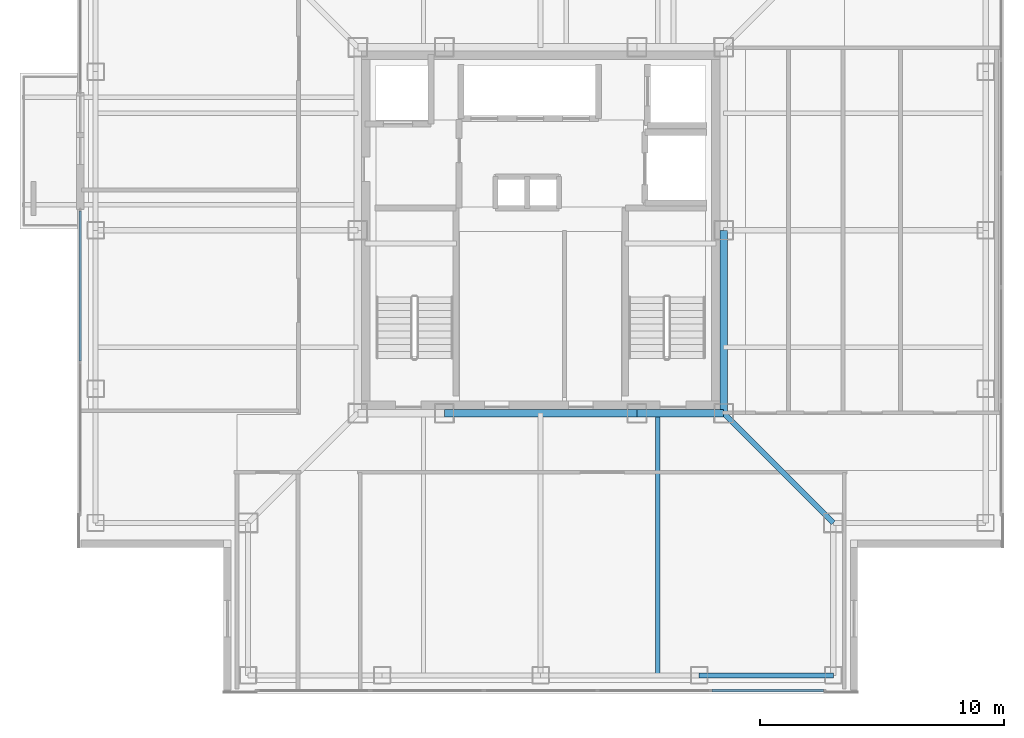
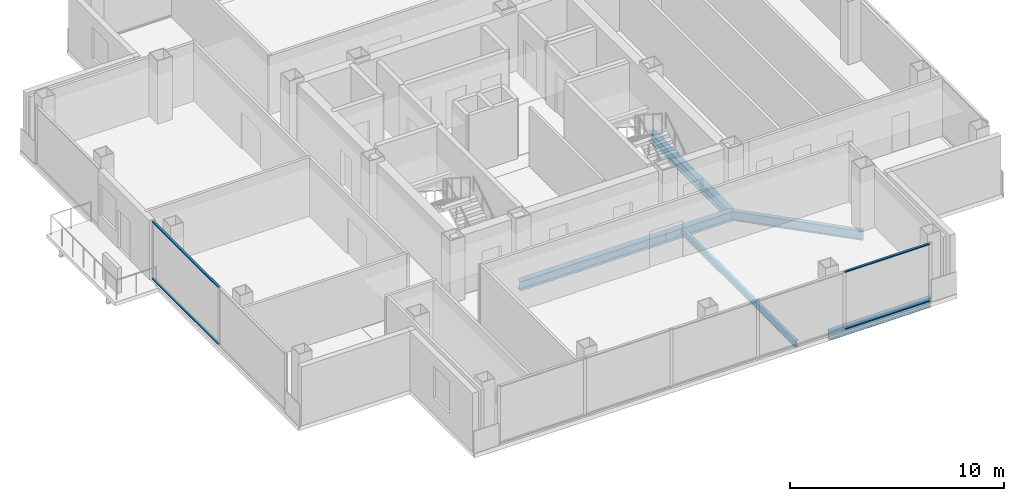
# One storey, part 3 of 13: 6 beams, 4 members, 2 elements without a shape of their own.
"""IFC4 building model written with IfcOpenShell, lengths in metres."""

from ifc_helpers import new_model, si_unit, direction, frame, origin, origin_2d, place, context, subcontext, project, spatial, rectangle, i_section, extrude, material, layer, layer_set, material_profile, profile_set, type_object, element, aggregate, save


model = new_model("IFC4")

# Units and contexts
model_context = context("Model", 3, precision=1e-05, world=origin(), true_north=direction((0.0, 1.0)))
body_context = subcontext(model_context, "Body", "Model", "MODEL_VIEW")
ifc_project = project(units=[si_unit("LENGTHUNIT", "METRE"), si_unit("AREAUNIT", "SQUARE_METRE"), si_unit("VOLUMEUNIT", "CUBIC_METRE"), si_unit("PLANEANGLEUNIT", "RADIAN"), si_unit("MASSUNIT", "GRAM", prefix="KILO")], contexts=[model_context])

# Site, building, storey
site_placement = place(None, origin())
site = spatial("IfcSite", under=ifc_project, at=site_placement, CompositionType="ELEMENT")
building_placement = place(site_placement, origin())
building = spatial("IfcBuilding", under=site, at=building_placement, Name="Trevonay Congress Spire", CompositionType="ELEMENT")
storey_placement = place(building_placement, frame((0.0, 0.0, 254.0)))
storey = spatial("IfcBuildingStorey", under=building, at=storey_placement, Name="L66", CompositionType="ELEMENT", Elevation=254.0)

# Beams
ifc_material_1 = material(Name="Steel ASTM A572 Grade 50", Category="steel")
ifc_material_profile_1 = material_profile(ifc_material_1, i_section(OverallWidth=0.2119140625, OverallDepth=0.5439453125, WebThickness=0.01318359375, FlangeThickness=0.021240234375, FilletRadius=0.014892578125, at=origin_2d()), Name="W530x123")
ifc_profile_set_1 = profile_set([ifc_material_profile_1], Name="Steel ASTM A572 Grade 50")
beam_type_1 = type_object("IfcBeamType", Name="BM-GIRD-W530X123", PredefinedType="BEAM", material=ifc_profile_set_1)
beam_1_placement = place(storey_placement, frame((7.5, -7.5, -0.511962890625), z_axis=(0.707106781187, -0.707106781187, 0.0), x_axis=(0.707106781187, 0.707106781187, 0.0)))
element("IfcBeam", 1, at=beam_1_placement, inside=storey, type_object=beam_type_1, Name="L66 structural beam BM-L66-CDSE", PredefinedType="BEAM", context=body_context, shape_type="SweptSolid", body=[
    extrude(i_section(OverallWidth=0.2119140625, OverallDepth=0.5439453125, WebThickness=0.01318359375, FlangeThickness=0.021240234375, FilletRadius=0.014892578125, at=origin_2d()), origin(), (0.0, 0.0, 1.0), 6.364013671875),
])
ifc_material_profile_2 = material_profile(ifc_material_1, i_section(OverallWidth=0.31201171875, OverallDepth=0.54296875, WebThickness=0.0126953125, FlangeThickness=0.020263671875, FilletRadius=0.014892578125, at=origin_2d()), Name="W530x150")
ifc_profile_set_2 = profile_set([ifc_material_profile_2], Name="Steel ASTM A572 Grade 50")
beam_type_2 = type_object("IfcBeamType", Name="BM-GIRD-W530X150", PredefinedType="BEAM", material=ifc_profile_set_2)
beam_2_placement = place(storey_placement, frame((-3.949951171875, -7.5, -0.511474609375), z_axis=(1.0, 0.0, 0.0), x_axis=(0.0, 1.0, 0.0)))
element("IfcBeam", 2, at=beam_2_placement, inside=storey, type_object=beam_type_2, Name="L66 structural beam BM-L66-CR-S2", PredefinedType="BEAM", context=body_context, shape_type="SweptSolid", body=[
    extrude(i_section(OverallWidth=0.31201171875, OverallDepth=0.54296875, WebThickness=0.0126953125, FlangeThickness=0.020263671875, FilletRadius=0.014892578125, at=origin_2d()), origin(), (0.0, 0.0, 1.0), 7.89990234375),
])
beam_3_placement = place(storey_placement, frame((3.949951171875, -7.5, -0.511474609375), z_axis=(1.0, 0.0, 0.0), x_axis=(0.0, 1.0, 0.0)))
element("IfcBeam", 3, at=beam_3_placement, inside=storey, type_object=beam_type_2, Name="L66 structural beam BM-L66-CR-S3", PredefinedType="BEAM", context=body_context, shape_type="SweptSolid", body=[
    extrude(i_section(OverallWidth=0.31201171875, OverallDepth=0.54296875, WebThickness=0.0126953125, FlangeThickness=0.020263671875, FilletRadius=0.014892578125, at=origin_2d()), origin(), (0.0, 0.0, 1.0), 3.550048828125),
])
beam_4_placement = place(storey_placement, frame((7.5, -7.5, -0.511474609375), z_axis=(0.0, 1.0, 0.0), x_axis=(-1.0, 0.0, 0.0)))
element("IfcBeam", 4, at=beam_4_placement, inside=storey, type_object=beam_type_2, Name="L66 structural beam BM-L66-CR-E1", PredefinedType="BEAM", context=body_context, shape_type="SweptSolid", body=[
    extrude(i_section(OverallWidth=0.31201171875, OverallDepth=0.54296875, WebThickness=0.0126953125, FlangeThickness=0.020263671875, FilletRadius=0.014892578125, at=origin_2d()), origin(), (0.0, 0.0, 1.0), 7.5),
])
ifc_material_profile_3 = material_profile(ifc_material_1, i_section(OverallWidth=0.208984375, OverallDepth=0.532958984375, WebThickness=0.01025390625, FlangeThickness=0.015625, FilletRadius=0.014892578125, at=origin_2d()), Name="W530x92")
ifc_profile_set_3 = profile_set([ifc_material_profile_3], Name="Steel ASTM A572 Grade 50")
beam_type_3 = type_object("IfcBeamType", Name="BM-RING-W530X92", PredefinedType="BEAM", material=ifc_profile_set_3)
beam_5_placement = place(storey_placement, frame((6.5, -18.25, -0.506591796875), z_axis=(1.0, 0.0, 0.0), x_axis=(0.0, 1.0, 0.0)))
element("IfcBeam", 5, at=beam_5_placement, inside=storey, type_object=beam_type_3, Name="L66 structural beam BM-L66-PS4", PredefinedType="BEAM", context=body_context, shape_type="SweptSolid", body=[
    extrude(i_section(OverallWidth=0.208984375, OverallDepth=0.532958984375, WebThickness=0.01025390625, FlangeThickness=0.015625, FilletRadius=0.014892578125, at=origin_2d()), origin(), (0.0, 0.0, 1.0), 5.5),
])

# Curtain wall, members
ifc_material_2 = material(Name="Pale Anodised Aluminium EN AW-6063-T6", Category="aluminium")
ifc_layer = layer(ifc_material_2, 0.1650390625, Name="Pale Anodised Aluminium EN AW-6063-T6")
ifc_layer_set = layer_set([ifc_layer], Name="Pale Anodised Aluminium EN AW-6063-T6")
curtain_wall_type = type_object("IfcCurtainWallType", Name="CW-SYS05-DIPLOM-PALE-METAL", PredefinedType="NOTDEFINED", material=ifc_layer_set)
curtain_wall_1_placement = place(storey_placement, origin())
curtain_wall_1 = element("IfcCurtainWall", 6, at=curtain_wall_1_placement, inside=storey, type_object=curtain_wall_type, Name="L66 S unitised curtain wall", PredefinedType="NOTDEFINED")
ifc_material_profile_4 = material_profile(ifc_material_2, rectangle(XDim=0.1201171875, YDim=0.06005859375, at=origin_2d()), Name="CW-TRANSOM-120-ALUMINIUM")
ifc_profile_set_4 = profile_set([ifc_material_profile_4], Name="Pale Anodised Aluminium EN AW-6063-T6")
member_type = type_object("IfcMemberType", Name="CW-TRANSOM-120-ALUMINIUM", PredefinedType="USERDEFINED", material=ifc_profile_set_4)
member_1_placement = place(storey_placement, frame((7.02001953125, -18.8798828125, 0.06005859375), z_axis=(1.0, 0.0, 0.0), x_axis=(0.0, 1.0, 0.0)))
member_1 = element("IfcMember", 7, at=member_1_placement, type_object=member_type, Name="CW05 transom 5.1", ObjectType="TRANSOM", PredefinedType="USERDEFINED", context=body_context, shape_type="SweptSolid", body=[
    extrude(rectangle(XDim=0.1201171875, YDim=0.06005859375, at=origin_2d()), origin(), (0.0, 0.0, 1.0), 4.570068359375),
])
member_2_placement = place(storey_placement, frame((7.02001953125, -18.8798828125, 3.300048828125), z_axis=(1.0, 0.0, 0.0), x_axis=(0.0, 1.0, 0.0)))
member_2 = element("IfcMember", 8, at=member_2_placement, type_object=member_type, Name="CW05 transom 5.2", ObjectType="TRANSOM", PredefinedType="USERDEFINED", context=body_context, shape_type="SweptSolid", body=[
    extrude(rectangle(XDim=0.1201171875, YDim=0.06005859375, at=origin_2d()), origin(), (0.0, 0.0, 1.0), 4.570068359375),
])
aggregate(curtain_wall_1, [member_1, member_2])

curtain_wall_2_placement = place(storey_placement, origin())
curtain_wall_2 = element("IfcCurtainWall", 9, at=curtain_wall_2_placement, inside=storey, type_object=curtain_wall_type, Name="L66 WA unitised curtain wall", PredefinedType="NOTDEFINED")
member_3_placement = place(storey_placement, frame((-18.8798828125, -5.3701171875, 0.06005859375), z_axis=(0.0, 1.0, 0.0), x_axis=(-1.0, 0.0, 0.0)))
member_3 = element("IfcMember", 10, at=member_3_placement, type_object=member_type, Name="CW05 transom 2.1", ObjectType="TRANSOM", PredefinedType="USERDEFINED", context=body_context, shape_type="SweptSolid", body=[
    extrude(rectangle(XDim=0.1201171875, YDim=0.06005859375, at=origin_2d()), origin(), (0.0, 0.0, 1.0), 6.16015625),
])
member_4_placement = place(storey_placement, frame((-18.8798828125, -5.3701171875, 3.300048828125), z_axis=(0.0, 1.0, 0.0), x_axis=(-1.0, 0.0, 0.0)))
member_4 = element("IfcMember", 11, at=member_4_placement, type_object=member_type, Name="CW05 transom 2.2", ObjectType="TRANSOM", PredefinedType="USERDEFINED", context=body_context, shape_type="SweptSolid", body=[
    extrude(rectangle(XDim=0.1201171875, YDim=0.06005859375, at=origin_2d()), origin(), (0.0, 0.0, 1.0), 6.16015625),
])
aggregate(curtain_wall_2, [member_3, member_4])

# Beam
ifc_material_profile_5 = material_profile(ifc_material_1, i_section(OverallWidth=0.172119140625, OverallDepth=0.35791015625, WebThickness=0.0078125, FlangeThickness=0.01318359375, FilletRadius=0.011962890625, at=origin_2d()), Name="W360x57.8")
ifc_profile_set_5 = profile_set([ifc_material_profile_5], Name="Steel ASTM A572 Grade 50")
beam_type_4 = type_object("IfcBeamType", Name="JS-COMP-W360X57", PredefinedType="JOIST", material=ifc_profile_set_5)
beam_6_placement = place(storey_placement, frame((4.800048828125, -18.25, -0.4189453125), z_axis=(0.0, 1.0, 0.0), x_axis=(-1.0, 0.0, 0.0)))
element("IfcBeam", 12, at=beam_6_placement, inside=storey, type_object=beam_type_4, Name="L66 structural beam JS-L66-NS-S3", PredefinedType="JOIST", context=body_context, shape_type="SweptSolid", body=[
    extrude(i_section(OverallWidth=0.172119140625, OverallDepth=0.35791015625, WebThickness=0.0078125, FlangeThickness=0.01318359375, FilletRadius=0.011962890625, at=origin_2d()), origin(), (0.0, 0.0, 1.0), 10.75),
])

save(model, "model.ifc")
